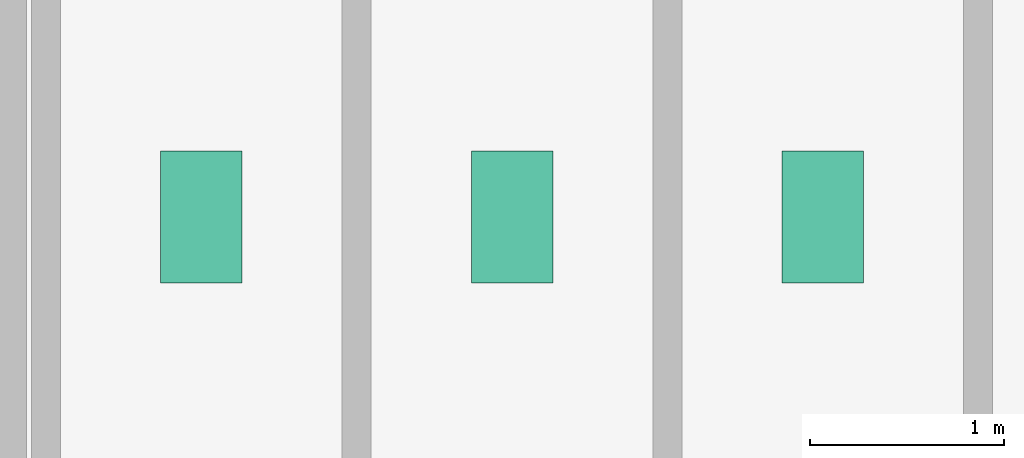
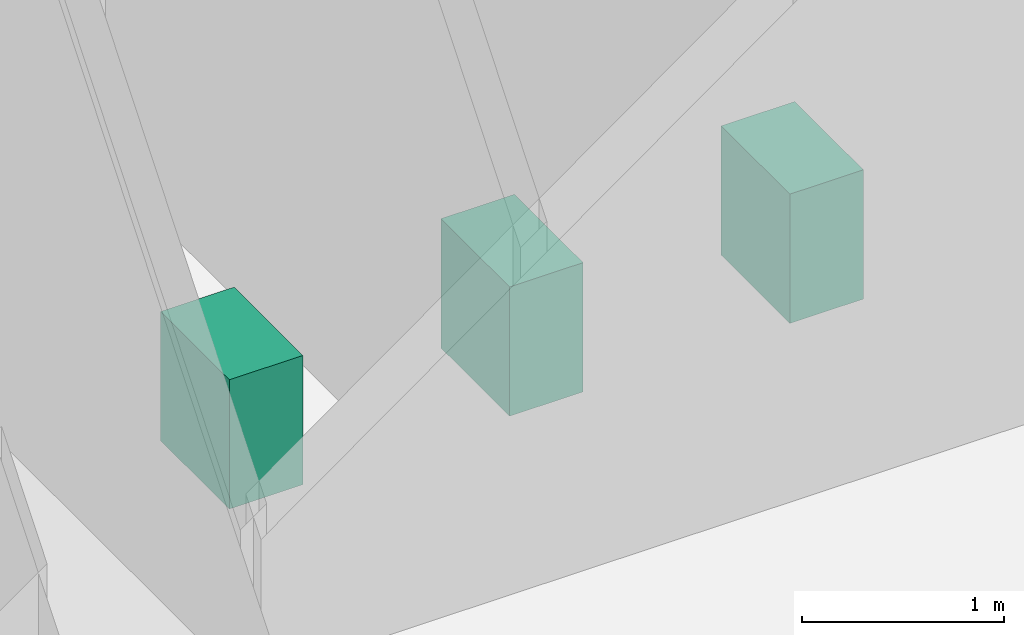
# One storey, part 34 of 35: 3 sanitary terminals.
"""IFC4 building model written with IfcOpenShell, lengths in metres."""

from ifc_helpers import new_model, si_unit, derived_unit, direction, frame, origin, origin_2d, place, context, subcontext, project, spatial, rectangle, extrude, source, transform, mapped, material, type_object, element, save


model = new_model("IFC4")

# Units and contexts
model_context = context("Model", 3, precision=1e-05, world=origin(), true_north=direction((0.0, 1.0)))
body_context = subcontext(model_context, "Body", "Model", "MODEL_VIEW")
ifc_project = project(units=[si_unit("LENGTHUNIT", "METRE"), si_unit("AREAUNIT", "SQUARE_METRE"), si_unit("VOLUMEUNIT", "CUBIC_METRE"), si_unit("PLANEANGLEUNIT", "RADIAN"), si_unit("MASSUNIT", "GRAM", prefix="KILO"), derived_unit("THERMALTRANSMITTANCEUNIT", [(si_unit("POWERUNIT", "WATT"), 1), (si_unit("LENGTHUNIT", "METRE"), -2), (si_unit("THERMODYNAMICTEMPERATUREUNIT", "KELVIN"), -1)])], contexts=[model_context])

# Site, building, storey
site_placement = place(None, origin())
site = spatial("IfcSite", under=ifc_project, at=site_placement, CompositionType="ELEMENT")
building_placement = place(site_placement, origin())
building = spatial("IfcBuilding", under=site, at=building_placement, Name="Skarnbrae Concourse Arena and Tower", CompositionType="ELEMENT")
storey_placement = place(building_placement, frame((0.0, 0.0, 79.949951171875)))
storey = spatial("IfcBuildingStorey", under=building, at=storey_placement, Name="L19", CompositionType="ELEMENT", Elevation=79.949951171875)

# Sanitary terminals
ifc_material = material(Name="Vitreous china sanitaryware", Category="other")
sanitary_terminal_type = type_object("IfcSanitaryTerminalType", Name="SAN-WC-VITREOUS", PredefinedType="TOILETPAN", material=ifc_material)
shared_shape = source(origin(), body_context, "Body", "SweptSolid", [
    extrude(rectangle(XDim=0.419921875, YDim=0.679931640625, at=origin_2d()), origin(), (0.0, 0.0, 1.0), 0.780029296875),
])
for number, where, z_axis, x_axis, name in (
    (1, (35.0, 11.39990234375, 0.0), (0.0, 0.0, 1.0), (1.0, 0.0, 0.0), "L19 Washroom WC fixture 1"),
    (2, (36.60009765625, 11.39990234375, 0.0), (0.0, 0.0, 1.0), (1.0, 0.0, 0.0), "L19 Washroom WC fixture 2"),
    (3, (38.199951171875, 11.39990234375, 0.0), (0.0, 0.0, 1.0), (1.0, 0.0, 0.0), "L19 Washroom WC fixture 3"),
):
    element("IfcSanitaryTerminal", number, at=place(storey_placement, frame(where, z_axis=z_axis, x_axis=x_axis)), inside=storey, type_object=sanitary_terminal_type, Name=name, PredefinedType="TOILETPAN", context=body_context, shape_type="MappedRepresentation", body=[
        mapped(shared_shape, transform((0.0, 0.0, 0.0))),
    ])

save(model, "model.ifc")
